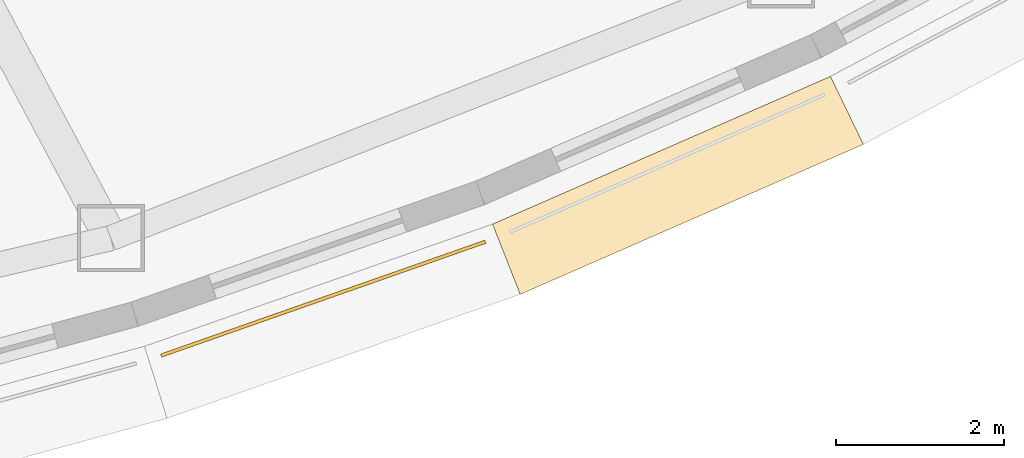
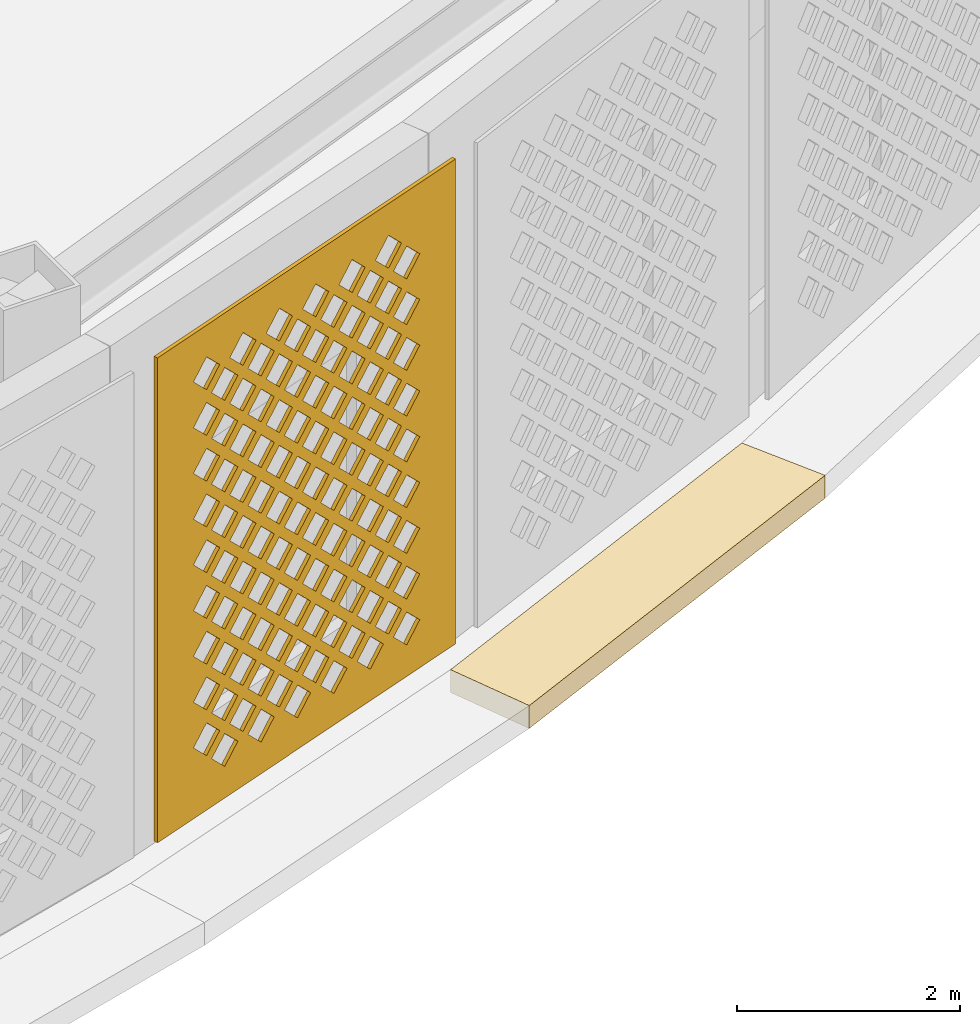
# One storey, part 63 of 74: 2 coverings.
"""IFC4 building model written with IfcOpenShell, lengths in metres."""

from ifc_helpers import new_model, si_unit, direction, frame, origin, place, context, subcontext, project, spatial, polyline, outline, extrude, material, layer, layer_set, type_object, element, save


model = new_model("IFC4")

# Units and contexts
model_context = context("Model", 3, precision=1e-05, world=origin(), true_north=direction((0.0, 1.0)))
body_context = subcontext(model_context, "Body", "Model", "MODEL_VIEW")
ifc_project = project(units=[si_unit("LENGTHUNIT", "METRE"), si_unit("AREAUNIT", "SQUARE_METRE"), si_unit("VOLUMEUNIT", "CUBIC_METRE"), si_unit("PLANEANGLEUNIT", "RADIAN"), si_unit("MASSUNIT", "GRAM", prefix="KILO")], contexts=[model_context])

# Site, building, storey
site_placement = place(None, origin())
site = spatial("IfcSite", under=ifc_project, at=site_placement, CompositionType="ELEMENT")
building_placement = place(site_placement, origin())
building = spatial("IfcBuilding", under=site, at=building_placement, Name="Noorbagh Ring Tower", CompositionType="ELEMENT")
storey_placement = place(building_placement, frame((0.0, 0.0, 13.5)))
storey = spatial("IfcBuildingStorey", under=building, at=storey_placement, Name="L02", CompositionType="ELEMENT", Elevation=13.5)

# Coverings
ifc_material_1 = material(Name="Red sandstone eave", Category="masonry")
covering_type_1 = type_object("IfcCoveringType", Name="STY-CHHAJJA", PredefinedType="USERDEFINED", material=ifc_material_1)
covering_1_placement = place(storey_placement, frame((0.0, 0.0, -0.25)))
element("IfcCovering", 1, at=covering_1_placement, inside=storey, type_object=covering_type_1, Name="Chhajja eave", ObjectType="CHHAJJA", PredefinedType="USERDEFINED", context=body_context, shape_type="SweptSolid", body=[
    extrude(outline(polyline([(23.647216796875, -35.624755859375), (27.67578125, -33.864013671875), (28.068603515625, -34.674560546875), (23.976806640625, -36.462890625), (23.647216796875, -35.624755859375)])), origin(), (0.0, 0.0, 1.0), 0.25),
])
ifc_material_2 = material(Name="Red sandstone jali", Category="masonry")
ifc_layer = layer(ifc_material_2, 0.0400390625)
ifc_layer_set = layer_set([ifc_layer], Name="Red sandstone jali")
covering_type_2 = type_object("IfcCoveringType", Name="STY-JALI", PredefinedType="USERDEFINED", material=ifc_layer_set)
covering_2_placement = place(storey_placement, frame((19.702880859375, -37.2109375, 0.449951171875), z_axis=(0.331258049676, -0.94354019762, 0.0), x_axis=(0.94354019762, 0.331258049676, 0.0)))
element("IfcCovering", 2, at=covering_2_placement, inside=storey, type_object=covering_type_2, Name="Jali screen", ObjectType="SCREEN", PredefinedType="USERDEFINED", context=body_context, shape_type="SweptSolid", body=[
    extrude(outline(polyline([(0.0, 0.0), (4.096923828125, 0.0), (4.096923828125, 5.300048828125), (0.0, 5.300048828125), (0.0, 0.0)]), holes=[polyline([(0.743408203125, 0.52490234375), (0.92333984375, 0.344970703125), (1.103515625, 0.52490234375), (0.92333984375, 0.705078125), (0.743408203125, 0.52490234375)]), polyline([(1.243408203125, 0.52490234375), (1.42333984375, 0.344970703125), (1.603515625, 0.52490234375), (1.42333984375, 0.705078125), (1.243408203125, 0.52490234375)]), polyline([(1.743408203125, 0.52490234375), (1.92333984375, 0.344970703125), (2.103515625, 0.52490234375), (1.92333984375, 0.705078125), (1.743408203125, 0.52490234375)]), polyline([(2.243408203125, 0.52490234375), (2.42333984375, 0.344970703125), (2.603515625, 0.52490234375), (2.42333984375, 0.705078125), (2.243408203125, 0.52490234375)]), polyline([(2.743408203125, 0.52490234375), (2.92333984375, 0.344970703125), (3.103515625, 0.52490234375), (2.92333984375, 0.705078125), (2.743408203125, 0.52490234375)]), polyline([(3.243408203125, 0.52490234375), (3.42333984375, 0.344970703125), (3.603515625, 0.52490234375), (3.42333984375, 0.705078125), (3.243408203125, 0.52490234375)]), polyline([(0.493408203125, 0.77490234375), (0.67333984375, 0.594970703125), (0.853515625, 0.77490234375), (0.67333984375, 0.955078125), (0.493408203125, 0.77490234375)]), polyline([(0.993408203125, 0.77490234375), (1.17333984375, 0.594970703125), (1.353515625, 0.77490234375), (1.17333984375, 0.955078125), (0.993408203125, 0.77490234375)]), polyline([(1.493408203125, 0.77490234375), (1.67333984375, 0.594970703125), (1.853515625, 0.77490234375), (1.67333984375, 0.955078125), (1.493408203125, 0.77490234375)]), polyline([(1.993408203125, 0.77490234375), (2.17333984375, 0.594970703125), (2.353515625, 0.77490234375), (2.17333984375, 0.955078125), (1.993408203125, 0.77490234375)]), polyline([(2.493408203125, 0.77490234375), (2.67333984375, 0.594970703125), (2.853515625, 0.77490234375), (2.67333984375, 0.955078125), (2.493408203125, 0.77490234375)]), polyline([(2.993408203125, 0.77490234375), (3.17333984375, 0.594970703125), (3.353515625, 0.77490234375), (3.17333984375, 0.955078125), (2.993408203125, 0.77490234375)]), polyline([(0.743408203125, 1.02490234375), (0.92333984375, 0.844970703125), (1.103515625, 1.02490234375), (0.92333984375, 1.205078125), (0.743408203125, 1.02490234375)]), polyline([(1.243408203125, 1.02490234375), (1.42333984375, 0.844970703125), (1.603515625, 1.02490234375), (1.42333984375, 1.205078125), (1.243408203125, 1.02490234375)]), polyline([(1.743408203125, 1.02490234375), (1.92333984375, 0.844970703125), (2.103515625, 1.02490234375), (1.92333984375, 1.205078125), (1.743408203125, 1.02490234375)]), polyline([(2.243408203125, 1.02490234375), (2.42333984375, 0.844970703125), (2.603515625, 1.02490234375), (2.42333984375, 1.205078125), (2.243408203125, 1.02490234375)]), polyline([(2.743408203125, 1.02490234375), (2.92333984375, 0.844970703125), (3.103515625, 1.02490234375), (2.92333984375, 1.205078125), (2.743408203125, 1.02490234375)]), polyline([(3.243408203125, 1.02490234375), (3.42333984375, 0.844970703125), (3.603515625, 1.02490234375), (3.42333984375, 1.205078125), (3.243408203125, 1.02490234375)]), polyline([(0.493408203125, 1.27490234375), (0.67333984375, 1.094970703125), (0.853515625, 1.27490234375), (0.67333984375, 1.455078125), (0.493408203125, 1.27490234375)]), polyline([(0.993408203125, 1.27490234375), (1.17333984375, 1.094970703125), (1.353515625, 1.27490234375), (1.17333984375, 1.455078125), (0.993408203125, 1.27490234375)]), polyline([(1.493408203125, 1.27490234375), (1.67333984375, 1.094970703125), (1.853515625, 1.27490234375), (1.67333984375, 1.455078125), (1.493408203125, 1.27490234375)]), polyline([(1.993408203125, 1.27490234375), (2.17333984375, 1.094970703125), (2.353515625, 1.27490234375), (2.17333984375, 1.455078125), (1.993408203125, 1.27490234375)]), polyline([(2.493408203125, 1.27490234375), (2.67333984375, 1.094970703125), (2.853515625, 1.27490234375), (2.67333984375, 1.455078125), (2.493408203125, 1.27490234375)]), polyline([(2.993408203125, 1.27490234375), (3.17333984375, 1.094970703125), (3.353515625, 1.27490234375), (3.17333984375, 1.455078125), (2.993408203125, 1.27490234375)]), polyline([(0.743408203125, 1.52490234375), (0.92333984375, 1.344970703125), (1.103515625, 1.52490234375), (0.92333984375, 1.705078125), (0.743408203125, 1.52490234375)]), polyline([(1.243408203125, 1.52490234375), (1.42333984375, 1.344970703125), (1.603515625, 1.52490234375), (1.42333984375, 1.705078125), (1.243408203125, 1.52490234375)]), polyline([(1.743408203125, 1.52490234375), (1.92333984375, 1.344970703125), (2.103515625, 1.52490234375), (1.92333984375, 1.705078125), (1.743408203125, 1.52490234375)]), polyline([(2.243408203125, 1.52490234375), (2.42333984375, 1.344970703125), (2.603515625, 1.52490234375), (2.42333984375, 1.705078125), (2.243408203125, 1.52490234375)]), polyline([(2.743408203125, 1.52490234375), (2.92333984375, 1.344970703125), (3.103515625, 1.52490234375), (2.92333984375, 1.705078125), (2.743408203125, 1.52490234375)]), polyline([(3.243408203125, 1.52490234375), (3.42333984375, 1.344970703125), (3.603515625, 1.52490234375), (3.42333984375, 1.705078125), (3.243408203125, 1.52490234375)]), polyline([(0.493408203125, 1.77490234375), (0.67333984375, 1.594970703125), (0.853515625, 1.77490234375), (0.67333984375, 1.955078125), (0.493408203125, 1.77490234375)]), polyline([(0.993408203125, 1.77490234375), (1.17333984375, 1.594970703125), (1.353515625, 1.77490234375), (1.17333984375, 1.955078125), (0.993408203125, 1.77490234375)]), polyline([(1.493408203125, 1.77490234375), (1.67333984375, 1.594970703125), (1.853515625, 1.77490234375), (1.67333984375, 1.955078125), (1.493408203125, 1.77490234375)]), polyline([(1.993408203125, 1.77490234375), (2.17333984375, 1.594970703125), (2.353515625, 1.77490234375), (2.17333984375, 1.955078125), (1.993408203125, 1.77490234375)]), polyline([(2.493408203125, 1.77490234375), (2.67333984375, 1.594970703125), (2.853515625, 1.77490234375), (2.67333984375, 1.955078125), (2.493408203125, 1.77490234375)]), polyline([(2.993408203125, 1.77490234375), (3.17333984375, 1.594970703125), (3.353515625, 1.77490234375), (3.17333984375, 1.955078125), (2.993408203125, 1.77490234375)]), polyline([(0.743408203125, 2.02490234375), (0.92333984375, 1.844970703125), (1.103515625, 2.02490234375), (0.92333984375, 2.205078125), (0.743408203125, 2.02490234375)]), polyline([(1.243408203125, 2.02490234375), (1.42333984375, 1.844970703125), (1.603515625, 2.02490234375), (1.42333984375, 2.205078125), (1.243408203125, 2.02490234375)]), polyline([(1.743408203125, 2.02490234375), (1.92333984375, 1.844970703125), (2.103515625, 2.02490234375), (1.92333984375, 2.205078125), (1.743408203125, 2.02490234375)]), polyline([(2.243408203125, 2.02490234375), (2.42333984375, 1.844970703125), (2.603515625, 2.02490234375), (2.42333984375, 2.205078125), (2.243408203125, 2.02490234375)]), polyline([(2.743408203125, 2.02490234375), (2.92333984375, 1.844970703125), (3.103515625, 2.02490234375), (2.92333984375, 2.205078125), (2.743408203125, 2.02490234375)]), polyline([(3.243408203125, 2.02490234375), (3.42333984375, 1.844970703125), (3.603515625, 2.02490234375), (3.42333984375, 2.205078125), (3.243408203125, 2.02490234375)]), polyline([(0.493408203125, 2.27490234375), (0.67333984375, 2.094970703125), (0.853515625, 2.27490234375), (0.67333984375, 2.455078125), (0.493408203125, 2.27490234375)]), polyline([(0.993408203125, 2.27490234375), (1.17333984375, 2.094970703125), (1.353515625, 2.27490234375), (1.17333984375, 2.455078125), (0.993408203125, 2.27490234375)]), polyline([(1.493408203125, 2.27490234375), (1.67333984375, 2.094970703125), (1.853515625, 2.27490234375), (1.67333984375, 2.455078125), (1.493408203125, 2.27490234375)]), polyline([(1.993408203125, 2.27490234375), (2.17333984375, 2.094970703125), (2.353515625, 2.27490234375), (2.17333984375, 2.455078125), (1.993408203125, 2.27490234375)]), polyline([(2.493408203125, 2.27490234375), (2.67333984375, 2.094970703125), (2.853515625, 2.27490234375), (2.67333984375, 2.455078125), (2.493408203125, 2.27490234375)]), polyline([(2.993408203125, 2.27490234375), (3.17333984375, 2.094970703125), (3.353515625, 2.27490234375), (3.17333984375, 2.455078125), (2.993408203125, 2.27490234375)]), polyline([(0.743408203125, 2.52490234375), (0.92333984375, 2.344970703125), (1.103515625, 2.52490234375), (0.92333984375, 2.705078125), (0.743408203125, 2.52490234375)]), polyline([(1.243408203125, 2.52490234375), (1.42333984375, 2.344970703125), (1.603515625, 2.52490234375), (1.42333984375, 2.705078125), (1.243408203125, 2.52490234375)]), polyline([(1.743408203125, 2.52490234375), (1.92333984375, 2.344970703125), (2.103515625, 2.52490234375), (1.92333984375, 2.705078125), (1.743408203125, 2.52490234375)]), polyline([(2.243408203125, 2.52490234375), (2.42333984375, 2.344970703125), (2.603515625, 2.52490234375), (2.42333984375, 2.705078125), (2.243408203125, 2.52490234375)]), polyline([(2.743408203125, 2.52490234375), (2.92333984375, 2.344970703125), (3.103515625, 2.52490234375), (2.92333984375, 2.705078125), (2.743408203125, 2.52490234375)]), polyline([(3.243408203125, 2.52490234375), (3.42333984375, 2.344970703125), (3.603515625, 2.52490234375), (3.42333984375, 2.705078125), (3.243408203125, 2.52490234375)]), polyline([(0.493408203125, 2.77490234375), (0.67333984375, 2.594970703125), (0.853515625, 2.77490234375), (0.67333984375, 2.955078125), (0.493408203125, 2.77490234375)]), polyline([(0.993408203125, 2.77490234375), (1.17333984375, 2.594970703125), (1.353515625, 2.77490234375), (1.17333984375, 2.955078125), (0.993408203125, 2.77490234375)]), polyline([(1.493408203125, 2.77490234375), (1.67333984375, 2.594970703125), (1.853515625, 2.77490234375), (1.67333984375, 2.955078125), (1.493408203125, 2.77490234375)]), polyline([(1.993408203125, 2.77490234375), (2.17333984375, 2.594970703125), (2.353515625, 2.77490234375), (2.17333984375, 2.955078125), (1.993408203125, 2.77490234375)]), polyline([(2.493408203125, 2.77490234375), (2.67333984375, 2.594970703125), (2.853515625, 2.77490234375), (2.67333984375, 2.955078125), (2.493408203125, 2.77490234375)]), polyline([(2.993408203125, 2.77490234375), (3.17333984375, 2.594970703125), (3.353515625, 2.77490234375), (3.17333984375, 2.955078125), (2.993408203125, 2.77490234375)]), polyline([(0.743408203125, 3.02490234375), (0.92333984375, 2.844970703125), (1.103515625, 3.02490234375), (0.92333984375, 3.205078125), (0.743408203125, 3.02490234375)]), polyline([(1.243408203125, 3.02490234375), (1.42333984375, 2.844970703125), (1.603515625, 3.02490234375), (1.42333984375, 3.205078125), (1.243408203125, 3.02490234375)]), polyline([(1.743408203125, 3.02490234375), (1.92333984375, 2.844970703125), (2.103515625, 3.02490234375), (1.92333984375, 3.205078125), (1.743408203125, 3.02490234375)]), polyline([(2.243408203125, 3.02490234375), (2.42333984375, 2.844970703125), (2.603515625, 3.02490234375), (2.42333984375, 3.205078125), (2.243408203125, 3.02490234375)]), polyline([(2.743408203125, 3.02490234375), (2.92333984375, 2.844970703125), (3.103515625, 3.02490234375), (2.92333984375, 3.205078125), (2.743408203125, 3.02490234375)]), polyline([(3.243408203125, 3.02490234375), (3.42333984375, 2.844970703125), (3.603515625, 3.02490234375), (3.42333984375, 3.205078125), (3.243408203125, 3.02490234375)]), polyline([(0.493408203125, 3.27490234375), (0.67333984375, 3.094970703125), (0.853515625, 3.27490234375), (0.67333984375, 3.455078125), (0.493408203125, 3.27490234375)]), polyline([(0.993408203125, 3.27490234375), (1.17333984375, 3.094970703125), (1.353515625, 3.27490234375), (1.17333984375, 3.455078125), (0.993408203125, 3.27490234375)]), polyline([(1.493408203125, 3.27490234375), (1.67333984375, 3.094970703125), (1.853515625, 3.27490234375), (1.67333984375, 3.455078125), (1.493408203125, 3.27490234375)]), polyline([(1.993408203125, 3.27490234375), (2.17333984375, 3.094970703125), (2.353515625, 3.27490234375), (2.17333984375, 3.455078125), (1.993408203125, 3.27490234375)]), polyline([(2.493408203125, 3.27490234375), (2.67333984375, 3.094970703125), (2.853515625, 3.27490234375), (2.67333984375, 3.455078125), (2.493408203125, 3.27490234375)]), polyline([(2.993408203125, 3.27490234375), (3.17333984375, 3.094970703125), (3.353515625, 3.27490234375), (3.17333984375, 3.455078125), (2.993408203125, 3.27490234375)]), polyline([(0.743408203125, 3.52490234375), (0.92333984375, 3.344970703125), (1.103515625, 3.52490234375), (0.92333984375, 3.705078125), (0.743408203125, 3.52490234375)]), polyline([(1.243408203125, 3.52490234375), (1.42333984375, 3.344970703125), (1.603515625, 3.52490234375), (1.42333984375, 3.705078125), (1.243408203125, 3.52490234375)]), polyline([(1.743408203125, 3.52490234375), (1.92333984375, 3.344970703125), (2.103515625, 3.52490234375), (1.92333984375, 3.705078125), (1.743408203125, 3.52490234375)]), polyline([(2.243408203125, 3.52490234375), (2.42333984375, 3.344970703125), (2.603515625, 3.52490234375), (2.42333984375, 3.705078125), (2.243408203125, 3.52490234375)]), polyline([(2.743408203125, 3.52490234375), (2.92333984375, 3.344970703125), (3.103515625, 3.52490234375), (2.92333984375, 3.705078125), (2.743408203125, 3.52490234375)]), polyline([(3.243408203125, 3.52490234375), (3.42333984375, 3.344970703125), (3.603515625, 3.52490234375), (3.42333984375, 3.705078125), (3.243408203125, 3.52490234375)]), polyline([(0.493408203125, 3.77490234375), (0.67333984375, 3.594970703125), (0.853515625, 3.77490234375), (0.67333984375, 3.955078125), (0.493408203125, 3.77490234375)]), polyline([(0.993408203125, 3.77490234375), (1.17333984375, 3.594970703125), (1.353515625, 3.77490234375), (1.17333984375, 3.955078125), (0.993408203125, 3.77490234375)]), polyline([(1.493408203125, 3.77490234375), (1.67333984375, 3.594970703125), (1.853515625, 3.77490234375), (1.67333984375, 3.955078125), (1.493408203125, 3.77490234375)]), polyline([(1.993408203125, 3.77490234375), (2.17333984375, 3.594970703125), (2.353515625, 3.77490234375), (2.17333984375, 3.955078125), (1.993408203125, 3.77490234375)]), polyline([(2.493408203125, 3.77490234375), (2.67333984375, 3.594970703125), (2.853515625, 3.77490234375), (2.67333984375, 3.955078125), (2.493408203125, 3.77490234375)]), polyline([(2.993408203125, 3.77490234375), (3.17333984375, 3.594970703125), (3.353515625, 3.77490234375), (3.17333984375, 3.955078125), (2.993408203125, 3.77490234375)]), polyline([(0.743408203125, 4.02490234375), (0.92333984375, 3.844970703125), (1.103515625, 4.02490234375), (0.92333984375, 4.205078125), (0.743408203125, 4.02490234375)]), polyline([(1.243408203125, 4.02490234375), (1.42333984375, 3.844970703125), (1.603515625, 4.02490234375), (1.42333984375, 4.205078125), (1.243408203125, 4.02490234375)]), polyline([(1.743408203125, 4.02490234375), (1.92333984375, 3.844970703125), (2.103515625, 4.02490234375), (1.92333984375, 4.205078125), (1.743408203125, 4.02490234375)]), polyline([(2.243408203125, 4.02490234375), (2.42333984375, 3.844970703125), (2.603515625, 4.02490234375), (2.42333984375, 4.205078125), (2.243408203125, 4.02490234375)]), polyline([(2.743408203125, 4.02490234375), (2.92333984375, 3.844970703125), (3.103515625, 4.02490234375), (2.92333984375, 4.205078125), (2.743408203125, 4.02490234375)]), polyline([(3.243408203125, 4.02490234375), (3.42333984375, 3.844970703125), (3.603515625, 4.02490234375), (3.42333984375, 4.205078125), (3.243408203125, 4.02490234375)]), polyline([(0.493408203125, 4.27490234375), (0.67333984375, 4.094970703125), (0.853515625, 4.27490234375), (0.67333984375, 4.455078125), (0.493408203125, 4.27490234375)]), polyline([(0.993408203125, 4.27490234375), (1.17333984375, 4.094970703125), (1.353515625, 4.27490234375), (1.17333984375, 4.455078125), (0.993408203125, 4.27490234375)]), polyline([(1.493408203125, 4.27490234375), (1.67333984375, 4.094970703125), (1.853515625, 4.27490234375), (1.67333984375, 4.455078125), (1.493408203125, 4.27490234375)]), polyline([(1.993408203125, 4.27490234375), (2.17333984375, 4.094970703125), (2.353515625, 4.27490234375), (2.17333984375, 4.455078125), (1.993408203125, 4.27490234375)]), polyline([(2.493408203125, 4.27490234375), (2.67333984375, 4.094970703125), (2.853515625, 4.27490234375), (2.67333984375, 4.455078125), (2.493408203125, 4.27490234375)]), polyline([(2.993408203125, 4.27490234375), (3.17333984375, 4.094970703125), (3.353515625, 4.27490234375), (3.17333984375, 4.455078125), (2.993408203125, 4.27490234375)]), polyline([(0.743408203125, 4.52490234375), (0.92333984375, 4.344970703125), (1.103515625, 4.52490234375), (0.92333984375, 4.705078125), (0.743408203125, 4.52490234375)]), polyline([(1.243408203125, 4.52490234375), (1.42333984375, 4.344970703125), (1.603515625, 4.52490234375), (1.42333984375, 4.705078125), (1.243408203125, 4.52490234375)]), polyline([(1.743408203125, 4.52490234375), (1.92333984375, 4.344970703125), (2.103515625, 4.52490234375), (1.92333984375, 4.705078125), (1.743408203125, 4.52490234375)]), polyline([(2.243408203125, 4.52490234375), (2.42333984375, 4.344970703125), (2.603515625, 4.52490234375), (2.42333984375, 4.705078125), (2.243408203125, 4.52490234375)]), polyline([(2.743408203125, 4.52490234375), (2.92333984375, 4.344970703125), (3.103515625, 4.52490234375), (2.92333984375, 4.705078125), (2.743408203125, 4.52490234375)]), polyline([(3.243408203125, 4.52490234375), (3.42333984375, 4.344970703125), (3.603515625, 4.52490234375), (3.42333984375, 4.705078125), (3.243408203125, 4.52490234375)]), polyline([(0.493408203125, 4.77490234375), (0.67333984375, 4.594970703125), (0.853515625, 4.77490234375), (0.67333984375, 4.955078125), (0.493408203125, 4.77490234375)]), polyline([(0.993408203125, 4.77490234375), (1.17333984375, 4.594970703125), (1.353515625, 4.77490234375), (1.17333984375, 4.955078125), (0.993408203125, 4.77490234375)]), polyline([(1.493408203125, 4.77490234375), (1.67333984375, 4.594970703125), (1.853515625, 4.77490234375), (1.67333984375, 4.955078125), (1.493408203125, 4.77490234375)]), polyline([(1.993408203125, 4.77490234375), (2.17333984375, 4.594970703125), (2.353515625, 4.77490234375), (2.17333984375, 4.955078125), (1.993408203125, 4.77490234375)]), polyline([(2.493408203125, 4.77490234375), (2.67333984375, 4.594970703125), (2.853515625, 4.77490234375), (2.67333984375, 4.955078125), (2.493408203125, 4.77490234375)]), polyline([(2.993408203125, 4.77490234375), (3.17333984375, 4.594970703125), (3.353515625, 4.77490234375), (3.17333984375, 4.955078125), (2.993408203125, 4.77490234375)])]), origin(), (0.0, 0.0, -1.0), 0.0400390625),
])

save(model, "model.ifc")
